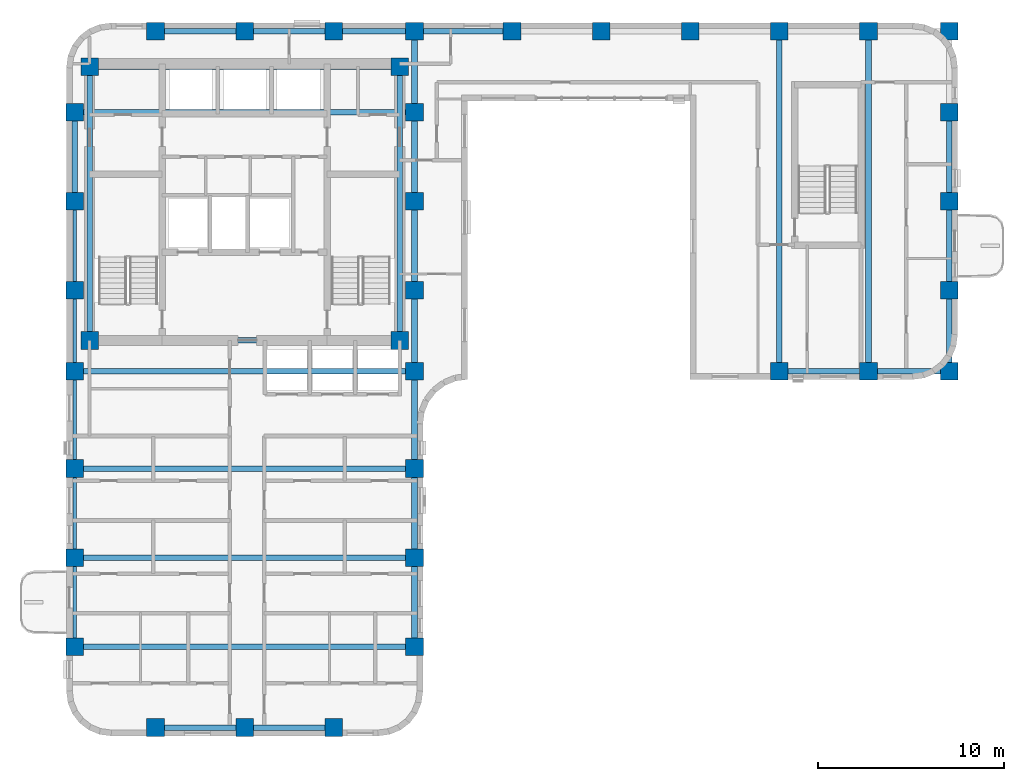
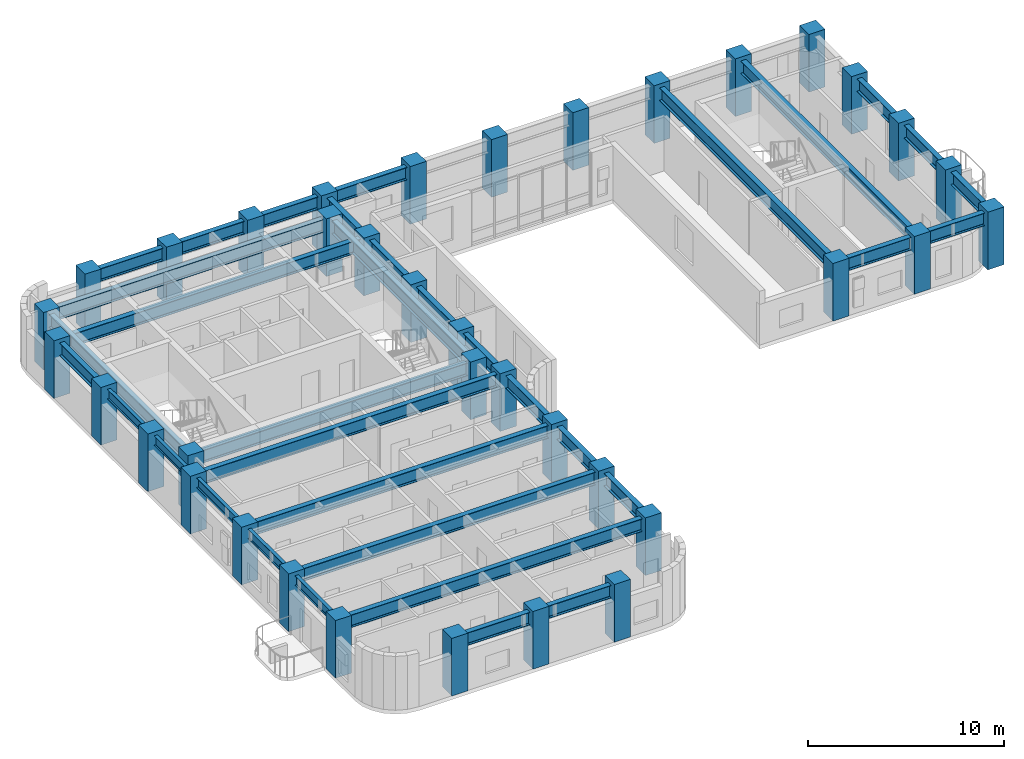
# One storey, part 1 of 11: 37 columns, 35 beams.
"""IFC4 building model written with IfcOpenShell, lengths in metres."""

from ifc_helpers import new_model, si_unit, direction, frame, origin, origin_2d, place, context, subcontext, project, spatial, rectangle, i_section, extrude, material, material_profile, profile_set, type_object, element, save


model = new_model("IFC4")

# Units and contexts
model_context = context("Model", 3, precision=1e-05, world=origin(), true_north=direction((0.0, 1.0)))
body_context = subcontext(model_context, "Body", "Model", "MODEL_VIEW")
ifc_project = project(units=[si_unit("LENGTHUNIT", "METRE"), si_unit("AREAUNIT", "SQUARE_METRE"), si_unit("VOLUMEUNIT", "CUBIC_METRE"), si_unit("PLANEANGLEUNIT", "RADIAN"), si_unit("MASSUNIT", "GRAM", prefix="KILO")], contexts=[model_context])

# Site, building, storey
site_placement = place(None, origin())
site = spatial("IfcSite", under=ifc_project, at=site_placement, CompositionType="ELEMENT")
building_placement = place(site_placement, origin())
building = spatial("IfcBuilding", under=site, at=building_placement, Name="Orvandelia Arch Residences", CompositionType="ELEMENT")
storey_placement = place(building_placement, frame((0.0, 0.0, 172.0)))
storey = spatial("IfcBuildingStorey", under=building, at=storey_placement, Name="L45", CompositionType="ELEMENT", Elevation=172.0)

# Columns
ifc_material_1 = material(Name="Concrete C60/75", Category="concrete")
ifc_material_profile_1 = material_profile(ifc_material_1, rectangle(XDim=0.949951171875, YDim=0.949951171875, at=origin_2d()), Name="Concrete C60/75", Category="concrete")
ifc_profile_set_1 = profile_set([ifc_material_profile_1], Name="Concrete C60/75")
column_type = type_object("IfcColumnType", Name="COL-TWR-950", PredefinedType="COLUMN", material=ifc_profile_set_1)
for number, where, z_axis, x_axis, name in (
    (1, (5.25, 14.39990234375, 0.0), (0.0, 0.0, 1.0), (1.0, 0.0, 0.0), "Structural Column L45-W-W-144"),
    (2, (5.25, 19.199951171875, 0.0), (0.0, 0.0, 1.0), (1.0, 0.0, 0.0), "Structural Column L45-W-W-192"),
    (3, (5.25, 24.0, 0.0), (0.0, 0.0, 1.0), (1.0, 0.0, 0.0), "Structural Column L45-W-W-240"),
    (4, (5.25, 29.25, 0.0), (0.0, 0.0, 1.0), (1.0, 0.0, 0.0), "Structural Column L45-W-W-292"),
    (5, (5.25, 33.60009765625, 0.0), (0.0, 0.0, 1.0), (1.0, 0.0, 0.0), "Structural Column L45-W-W-336"),
    (6, (5.25, 38.39990234375, 0.0), (0.0, 0.0, 1.0), (1.0, 0.0, 0.0), "Structural Column L45-W-W-384"),
    (7, (5.25, 43.199951171875, 0.0), (0.0, 0.0, 1.0), (1.0, 0.0, 0.0), "Structural Column L45-W-W-432"),
    (8, (6.050048828125, 30.89990234375, 0.0), (0.0, 0.0, 1.0), (1.0, 0.0, 0.0), "Structural Column L45-CR-SW"),
    (9, (6.050048828125, 45.64990234375, 0.0), (0.0, 0.0, 1.0), (1.0, 0.0, 0.0), "Structural Column L45-CR-NW"),
    (10, (9.60009765625, 10.050048828125, 0.0), (0.0, 0.0, 1.0), (1.0, 0.0, 0.0), "Structural Column L45-W-S-96"),
    (11, (9.60009765625, 47.550048828125, 0.0), (0.0, 0.0, 1.0), (1.0, 0.0, 0.0), "Structural Column L45-W-N-96"),
    (12, (14.39990234375, 10.050048828125, 0.0), (0.0, 0.0, 1.0), (1.0, 0.0, 0.0), "Structural Column L45-W-S-144"),
    (13, (14.39990234375, 47.550048828125, 0.0), (0.0, 0.0, 1.0), (1.0, 0.0, 0.0), "Structural Column L45-W-N-144"),
    (14, (19.199951171875, 10.050048828125, 0.0), (0.0, 0.0, 1.0), (1.0, 0.0, 0.0), "Structural Column L45-W-S-192"),
    (15, (19.199951171875, 47.550048828125, 0.0), (0.0, 0.0, 1.0), (1.0, 0.0, 0.0), "Structural Column L45-W-N-192"),
    (16, (22.75, 30.89990234375, 0.0), (0.0, 0.0, 1.0), (1.0, 0.0, 0.0), "Structural Column L45-CR-SE"),
    (17, (22.75, 45.64990234375, 0.0), (0.0, 0.0, 1.0), (1.0, 0.0, 0.0), "Structural Column L45-CR-NE"),
    (18, (23.550048828125, 14.39990234375, 0.0), (0.0, 0.0, 1.0), (1.0, 0.0, 0.0), "Structural Column L45-W-E-144"),
    (19, (23.550048828125, 19.199951171875, 0.0), (0.0, 0.0, 1.0), (1.0, 0.0, 0.0), "Structural Column L45-W-E-192"),
    (20, (23.550048828125, 24.0, 0.0), (0.0, 0.0, 1.0), (1.0, 0.0, 0.0), "Structural Column L45-W-E-240"),
    (21, (23.550048828125, 29.25, 0.0), (0.0, 0.0, 1.0), (1.0, 0.0, 0.0), "Structural Column L45-W-E-292"),
    (22, (23.550048828125, 33.60009765625, 0.0), (0.0, 0.0, 1.0), (1.0, 0.0, 0.0), "Structural Column L45-W-E-336"),
    (23, (23.550048828125, 38.39990234375, 0.0), (0.0, 0.0, 1.0), (1.0, 0.0, 0.0), "Structural Column L45-W-E-384"),
    (24, (23.550048828125, 43.199951171875, 0.0), (0.0, 0.0, 1.0), (1.0, 0.0, 0.0), "Structural Column L45-W-E-432"),
    (25, (23.550048828125, 47.550048828125, 0.0), (0.0, 0.0, 1.0), (1.0, 0.0, 0.0), "Structural Column L45-W-N-235"),
    (26, (28.800048828125, 47.550048828125, 0.0), (0.0, 0.0, 1.0), (1.0, 0.0, 0.0), "Structural Column L45-E-N-288"),
    (27, (33.60009765625, 47.550048828125, 0.0), (0.0, 0.0, 1.0), (1.0, 0.0, 0.0), "Structural Column L45-E-N-336"),
    (28, (38.39990234375, 47.550048828125, 0.0), (0.0, 0.0, 1.0), (1.0, 0.0, 0.0), "Structural Column L45-E-N-384"),
    (29, (43.199951171875, 29.25, 0.0), (0.0, 0.0, 1.0), (1.0, 0.0, 0.0), "Structural Column L45-E-S-432"),
    (30, (43.199951171875, 47.550048828125, 0.0), (0.0, 0.0, 1.0), (1.0, 0.0, 0.0), "Structural Column L45-E-N-432"),
    (31, (48.0, 29.25, 0.0), (0.0, 0.0, 1.0), (1.0, 0.0, 0.0), "Structural Column L45-E-S-480"),
    (32, (48.0, 47.550048828125, 0.0), (0.0, 0.0, 1.0), (1.0, 0.0, 0.0), "Structural Column L45-E-N-480"),
    (33, (52.35009765625, 29.25, 0.0), (0.0, 0.0, 1.0), (1.0, 0.0, 0.0), "Structural Column L45-E-S-523"),
    (34, (52.35009765625, 33.60009765625, 0.0), (0.0, 0.0, 1.0), (1.0, 0.0, 0.0), "Structural Column L45-E-523-336"),
    (35, (52.35009765625, 38.39990234375, 0.0), (0.0, 0.0, 1.0), (1.0, 0.0, 0.0), "Structural Column L45-E-523-384"),
    (36, (52.35009765625, 43.199951171875, 0.0), (0.0, 0.0, 1.0), (1.0, 0.0, 0.0), "Structural Column L45-E-523-432"),
    (37, (52.35009765625, 47.550048828125, 0.0), (0.0, 0.0, 1.0), (1.0, 0.0, 0.0), "Structural Column L45-E-N-523"),
):
    element("IfcColumn", number, at=place(storey_placement, frame(where, z_axis=z_axis, x_axis=x_axis)), inside=storey, type_object=column_type, Name=name, PredefinedType="COLUMN", context=body_context, shape_type="SweptSolid", body=[
        extrude(rectangle(XDim=0.949951171875, YDim=0.949951171875, at=origin_2d()), origin(), (0.0, 0.0, 1.0), 3.60009765625),
    ])

# Beams
ifc_material_2 = material(Name="Structural Steel SM355 (355 MPa)", Category="steel")
ifc_material_profile_2 = material_profile(ifc_material_2, i_section(OverallWidth=0.300048828125, OverallDepth=0.800048828125, WebThickness=0.013916015625, FlangeThickness=0.02587890625, FilletRadius=0.02587890625, at=origin_2d()), Name="Structural Steel SM355 (355 MPa)", Category="steel")
ifc_profile_set_2 = profile_set([ifc_material_profile_2], Name="Structural Steel SM355 (355 MPa)")
beam_type_1 = type_object("IfcBeamType", Name="BM-GRD-H800", PredefinedType="BEAM", material=ifc_profile_set_2)
beam_1_placement = place(storey_placement, frame((5.25, 38.39990234375, 2.9599609375), z_axis=(0.0, 1.0, 0.0), x_axis=(-1.0, 0.0, 0.0)))
element("IfcBeam", 38, at=beam_1_placement, inside=storey, type_object=beam_type_1, Name="Structural Frame Beam L45-NS-006", PredefinedType="BEAM", context=body_context, shape_type="SweptSolid", body=[
    extrude(i_section(OverallWidth=0.300048828125, OverallDepth=0.800048828125, WebThickness=0.013916015625, FlangeThickness=0.02587890625, FilletRadius=0.02587890625, at=origin_2d()), origin(), (0.0, 0.0, 1.0), 4.800048828125),
])
for number, where, z_axis, x_axis, name in (
    (39, (6.050048828125, 30.89990234375, 2.9599609375), (0.0, 1.0, 0.0), (-1.0, 0.0, 0.0), "Structural Frame Beam L45-NS-007"),
    (40, (22.75, 30.89990234375, 2.9599609375), (0.0, 1.0, 0.0), (-1.0, 0.0, 0.0), "Structural Frame Beam L45-NS-008"),
):
    element("IfcBeam", number, at=place(storey_placement, frame(where, z_axis=z_axis, x_axis=x_axis)), inside=storey, type_object=beam_type_1, Name=name, PredefinedType="BEAM", context=body_context, shape_type="SweptSolid", body=[
        extrude(i_section(OverallWidth=0.300048828125, OverallDepth=0.800048828125, WebThickness=0.013916015625, FlangeThickness=0.02587890625, FilletRadius=0.02587890625, at=origin_2d()), origin(), (0.0, 0.0, 1.0), 14.75),
    ])
for number, where, z_axis, x_axis, name in (
    (41, (23.550048828125, 14.39990234375, 2.9599609375), (0.0, 1.0, 0.0), (-1.0, 0.0, 0.0), "Structural Frame Beam L45-NS-009"),
    (42, (23.550048828125, 19.199951171875, 2.9599609375), (0.0, 1.0, 0.0), (-1.0, 0.0, 0.0), "Structural Frame Beam L45-NS-010"),
):
    element("IfcBeam", number, at=place(storey_placement, frame(where, z_axis=z_axis, x_axis=x_axis)), inside=storey, type_object=beam_type_1, Name=name, PredefinedType="BEAM", context=body_context, shape_type="SweptSolid", body=[
        extrude(i_section(OverallWidth=0.300048828125, OverallDepth=0.800048828125, WebThickness=0.013916015625, FlangeThickness=0.02587890625, FilletRadius=0.02587890625, at=origin_2d()), origin(), (0.0, 0.0, 1.0), 4.800048828125),
    ])
beam_2_placement = place(storey_placement, frame((23.550048828125, 24.0, 2.9599609375), z_axis=(0.0, 1.0, 0.0), x_axis=(-1.0, 0.0, 0.0)))
element("IfcBeam", 43, at=beam_2_placement, inside=storey, type_object=beam_type_1, Name="Structural Frame Beam L45-NS-011", PredefinedType="BEAM", context=body_context, shape_type="SweptSolid", body=[
    extrude(i_section(OverallWidth=0.300048828125, OverallDepth=0.800048828125, WebThickness=0.013916015625, FlangeThickness=0.02587890625, FilletRadius=0.02587890625, at=origin_2d()), origin(), (0.0, 0.0, 1.0), 5.25),
])
beam_3_placement = place(storey_placement, frame((23.550048828125, 29.25, 2.9599609375), z_axis=(0.0, 1.0, 0.0), x_axis=(-1.0, 0.0, 0.0)))
element("IfcBeam", 44, at=beam_3_placement, inside=storey, type_object=beam_type_1, Name="Structural Frame Beam L45-NS-012", PredefinedType="BEAM", context=body_context, shape_type="SweptSolid", body=[
    extrude(i_section(OverallWidth=0.300048828125, OverallDepth=0.800048828125, WebThickness=0.013916015625, FlangeThickness=0.02587890625, FilletRadius=0.02587890625, at=origin_2d()), origin(), (0.0, 0.0, 1.0), 4.35009765625),
])
beam_4_placement = place(storey_placement, frame((23.550048828125, 33.60009765625, 2.9599609375), z_axis=(0.0, 1.0, 0.0), x_axis=(-1.0, 0.0, 0.0)))
element("IfcBeam", 45, at=beam_4_placement, inside=storey, type_object=beam_type_1, Name="Structural Frame Beam L45-NS-013", PredefinedType="BEAM", context=body_context, shape_type="SweptSolid", body=[
    extrude(i_section(OverallWidth=0.300048828125, OverallDepth=0.800048828125, WebThickness=0.013916015625, FlangeThickness=0.02587890625, FilletRadius=0.02587890625, at=origin_2d()), origin(), (0.0, 0.0, 1.0), 4.7998046875),
])
beam_5_placement = place(storey_placement, frame((23.550048828125, 38.39990234375, 2.9599609375), z_axis=(0.0, 1.0, 0.0), x_axis=(-1.0, 0.0, 0.0)))
element("IfcBeam", 46, at=beam_5_placement, inside=storey, type_object=beam_type_1, Name="Structural Frame Beam L45-NS-014", PredefinedType="BEAM", context=body_context, shape_type="SweptSolid", body=[
    extrude(i_section(OverallWidth=0.300048828125, OverallDepth=0.800048828125, WebThickness=0.013916015625, FlangeThickness=0.02587890625, FilletRadius=0.02587890625, at=origin_2d()), origin(), (0.0, 0.0, 1.0), 4.800048828125),
])
beam_6_placement = place(storey_placement, frame((23.550048828125, 43.199951171875, 2.9599609375), z_axis=(0.0, 1.0, 0.0), x_axis=(-1.0, 0.0, 0.0)))
element("IfcBeam", 47, at=beam_6_placement, inside=storey, type_object=beam_type_1, Name="Structural Frame Beam L45-NS-015", PredefinedType="BEAM", context=body_context, shape_type="SweptSolid", body=[
    extrude(i_section(OverallWidth=0.300048828125, OverallDepth=0.800048828125, WebThickness=0.013916015625, FlangeThickness=0.02587890625, FilletRadius=0.02587890625, at=origin_2d()), origin(), (0.0, 0.0, 1.0), 4.35009765625),
])
for number, where, z_axis, x_axis, name in (
    (48, (43.199951171875, 29.25, 2.9599609375), (0.0, 1.0, 0.0), (-1.0, 0.0, 0.0), "Structural Frame Beam L45-NS-016"),
    (49, (48.0, 29.25, 2.9599609375), (0.0, 1.0, 0.0), (-1.0, 0.0, 0.0), "Structural Frame Beam L45-NS-017"),
):
    element("IfcBeam", number, at=place(storey_placement, frame(where, z_axis=z_axis, x_axis=x_axis)), inside=storey, type_object=beam_type_1, Name=name, PredefinedType="BEAM", context=body_context, shape_type="SweptSolid", body=[
        extrude(i_section(OverallWidth=0.300048828125, OverallDepth=0.800048828125, WebThickness=0.013916015625, FlangeThickness=0.02587890625, FilletRadius=0.02587890625, at=origin_2d()), origin(), (0.0, 0.0, 1.0), 18.300048828125),
    ])
beam_7_placement = place(storey_placement, frame((52.35009765625, 29.25, 2.9599609375), z_axis=(0.0, 1.0, 0.0), x_axis=(-1.0, 0.0, 0.0)))
element("IfcBeam", 50, at=beam_7_placement, inside=storey, type_object=beam_type_1, Name="Structural Frame Beam L45-NS-018", PredefinedType="BEAM", context=body_context, shape_type="SweptSolid", body=[
    extrude(i_section(OverallWidth=0.300048828125, OverallDepth=0.800048828125, WebThickness=0.013916015625, FlangeThickness=0.02587890625, FilletRadius=0.02587890625, at=origin_2d()), origin(), (0.0, 0.0, 1.0), 4.35009765625),
])
beam_8_placement = place(storey_placement, frame((52.35009765625, 33.60009765625, 2.9599609375), z_axis=(0.0, 1.0, 0.0), x_axis=(-1.0, 0.0, 0.0)))
element("IfcBeam", 51, at=beam_8_placement, inside=storey, type_object=beam_type_1, Name="Structural Frame Beam L45-NS-019", PredefinedType="BEAM", context=body_context, shape_type="SweptSolid", body=[
    extrude(i_section(OverallWidth=0.300048828125, OverallDepth=0.800048828125, WebThickness=0.013916015625, FlangeThickness=0.02587890625, FilletRadius=0.02587890625, at=origin_2d()), origin(), (0.0, 0.0, 1.0), 4.7998046875),
])
beam_9_placement = place(storey_placement, frame((52.35009765625, 38.39990234375, 2.9599609375), z_axis=(0.0, 1.0, 0.0), x_axis=(-1.0, 0.0, 0.0)))
element("IfcBeam", 52, at=beam_9_placement, inside=storey, type_object=beam_type_1, Name="Structural Frame Beam L45-NS-020", PredefinedType="BEAM", context=body_context, shape_type="SweptSolid", body=[
    extrude(i_section(OverallWidth=0.300048828125, OverallDepth=0.800048828125, WebThickness=0.013916015625, FlangeThickness=0.02587890625, FilletRadius=0.02587890625, at=origin_2d()), origin(), (0.0, 0.0, 1.0), 4.800048828125),
])
beam_10_placement = place(storey_placement, frame((9.60009765625, 10.050048828125, 2.9599609375), z_axis=(1.0, 0.0, 0.0), x_axis=(0.0, 1.0, 0.0)))
element("IfcBeam", 53, at=beam_10_placement, inside=storey, type_object=beam_type_1, Name="Structural Frame Girder L45-EW-022", PredefinedType="BEAM", context=body_context, shape_type="SweptSolid", body=[
    extrude(i_section(OverallWidth=0.300048828125, OverallDepth=0.800048828125, WebThickness=0.013916015625, FlangeThickness=0.02587890625, FilletRadius=0.02587890625, at=origin_2d()), origin(), (0.0, 0.0, 1.0), 4.7998046875),
])
beam_11_placement = place(storey_placement, frame((14.39990234375, 10.050048828125, 2.9599609375), z_axis=(1.0, 0.0, 0.0), x_axis=(0.0, 1.0, 0.0)))
element("IfcBeam", 54, at=beam_11_placement, inside=storey, type_object=beam_type_1, Name="Structural Frame Girder L45-EW-023", PredefinedType="BEAM", context=body_context, shape_type="SweptSolid", body=[
    extrude(i_section(OverallWidth=0.300048828125, OverallDepth=0.800048828125, WebThickness=0.013916015625, FlangeThickness=0.02587890625, FilletRadius=0.02587890625, at=origin_2d()), origin(), (0.0, 0.0, 1.0), 4.800048828125),
])
for number, where, z_axis, x_axis, name in (
    (55, (5.25, 14.39990234375, 2.9599609375), (1.0, 0.0, 0.0), (0.0, 1.0, 0.0), "Structural Frame Girder L45-EW-024"),
    (56, (5.25, 19.199951171875, 2.9599609375), (1.0, 0.0, 0.0), (0.0, 1.0, 0.0), "Structural Frame Girder L45-EW-025"),
    (57, (5.25, 24.0, 2.9599609375), (1.0, 0.0, 0.0), (0.0, 1.0, 0.0), "Structural Frame Girder L45-EW-026"),
    (58, (5.25, 29.25, 2.9599609375), (1.0, 0.0, 0.0), (0.0, 1.0, 0.0), "Structural Frame Girder L45-EW-027"),
):
    element("IfcBeam", number, at=place(storey_placement, frame(where, z_axis=z_axis, x_axis=x_axis)), inside=storey, type_object=beam_type_1, Name=name, PredefinedType="BEAM", context=body_context, shape_type="SweptSolid", body=[
        extrude(i_section(OverallWidth=0.300048828125, OverallDepth=0.800048828125, WebThickness=0.013916015625, FlangeThickness=0.02587890625, FilletRadius=0.02587890625, at=origin_2d()), origin(), (0.0, 0.0, 1.0), 18.300048828125),
    ])
beam_12_placement = place(storey_placement, frame((43.199951171875, 29.25, 2.9599609375), z_axis=(1.0, 0.0, 0.0), x_axis=(0.0, 1.0, 0.0)))
element("IfcBeam", 59, at=beam_12_placement, inside=storey, type_object=beam_type_1, Name="Structural Frame Girder L45-EW-028", PredefinedType="BEAM", context=body_context, shape_type="SweptSolid", body=[
    extrude(i_section(OverallWidth=0.300048828125, OverallDepth=0.800048828125, WebThickness=0.013916015625, FlangeThickness=0.02587890625, FilletRadius=0.02587890625, at=origin_2d()), origin(), (0.0, 0.0, 1.0), 4.800048828125),
])
beam_13_placement = place(storey_placement, frame((48.0, 29.25, 2.9599609375), z_axis=(1.0, 0.0, 0.0), x_axis=(0.0, 1.0, 0.0)))
element("IfcBeam", 60, at=beam_13_placement, inside=storey, type_object=beam_type_1, Name="Structural Frame Girder L45-EW-029", PredefinedType="BEAM", context=body_context, shape_type="SweptSolid", body=[
    extrude(i_section(OverallWidth=0.300048828125, OverallDepth=0.800048828125, WebThickness=0.013916015625, FlangeThickness=0.02587890625, FilletRadius=0.02587890625, at=origin_2d()), origin(), (0.0, 0.0, 1.0), 4.35009765625),
])
beam_14_placement = place(storey_placement, frame((6.050048828125, 30.89990234375, 2.9599609375), z_axis=(1.0, 0.0, 0.0), x_axis=(0.0, 1.0, 0.0)))
element("IfcBeam", 61, at=beam_14_placement, inside=storey, type_object=beam_type_1, Name="Structural Frame Girder L45-EW-030", PredefinedType="BEAM", context=body_context, shape_type="SweptSolid", body=[
    extrude(i_section(OverallWidth=0.300048828125, OverallDepth=0.800048828125, WebThickness=0.013916015625, FlangeThickness=0.02587890625, FilletRadius=0.02587890625, at=origin_2d()), origin(), (0.0, 0.0, 1.0), 16.699951171875),
])
beam_15_placement = place(storey_placement, frame((5.25, 43.199951171875, 2.9599609375), z_axis=(1.0, 0.0, 0.0), x_axis=(0.0, 1.0, 0.0)))
element("IfcBeam", 62, at=beam_15_placement, inside=storey, type_object=beam_type_1, Name="Structural Frame Girder L45-EW-033", PredefinedType="BEAM", context=body_context, shape_type="SweptSolid", body=[
    extrude(i_section(OverallWidth=0.300048828125, OverallDepth=0.800048828125, WebThickness=0.013916015625, FlangeThickness=0.02587890625, FilletRadius=0.02587890625, at=origin_2d()), origin(), (0.0, 0.0, 1.0), 18.300048828125),
])
beam_16_placement = place(storey_placement, frame((6.050048828125, 45.64990234375, 2.9599609375), z_axis=(1.0, 0.0, 0.0), x_axis=(0.0, 1.0, 0.0)))
element("IfcBeam", 63, at=beam_16_placement, inside=storey, type_object=beam_type_1, Name="Structural Frame Girder L45-EW-034", PredefinedType="BEAM", context=body_context, shape_type="SweptSolid", body=[
    extrude(i_section(OverallWidth=0.300048828125, OverallDepth=0.800048828125, WebThickness=0.013916015625, FlangeThickness=0.02587890625, FilletRadius=0.02587890625, at=origin_2d()), origin(), (0.0, 0.0, 1.0), 16.699951171875),
])
beam_17_placement = place(storey_placement, frame((9.60009765625, 47.550048828125, 2.9599609375), z_axis=(1.0, 0.0, 0.0), x_axis=(0.0, 1.0, 0.0)))
element("IfcBeam", 64, at=beam_17_placement, inside=storey, type_object=beam_type_1, Name="Structural Frame Girder L45-EW-035", PredefinedType="BEAM", context=body_context, shape_type="SweptSolid", body=[
    extrude(i_section(OverallWidth=0.300048828125, OverallDepth=0.800048828125, WebThickness=0.013916015625, FlangeThickness=0.02587890625, FilletRadius=0.02587890625, at=origin_2d()), origin(), (0.0, 0.0, 1.0), 4.7998046875),
])
beam_18_placement = place(storey_placement, frame((14.39990234375, 47.550048828125, 2.9599609375), z_axis=(1.0, 0.0, 0.0), x_axis=(0.0, 1.0, 0.0)))
element("IfcBeam", 65, at=beam_18_placement, inside=storey, type_object=beam_type_1, Name="Structural Frame Girder L45-EW-036", PredefinedType="BEAM", context=body_context, shape_type="SweptSolid", body=[
    extrude(i_section(OverallWidth=0.300048828125, OverallDepth=0.800048828125, WebThickness=0.013916015625, FlangeThickness=0.02587890625, FilletRadius=0.02587890625, at=origin_2d()), origin(), (0.0, 0.0, 1.0), 4.800048828125),
])
beam_19_placement = place(storey_placement, frame((19.199951171875, 47.550048828125, 2.9599609375), z_axis=(1.0, 0.0, 0.0), x_axis=(0.0, 1.0, 0.0)))
element("IfcBeam", 66, at=beam_19_placement, inside=storey, type_object=beam_type_1, Name="Structural Frame Girder L45-EW-037", PredefinedType="BEAM", context=body_context, shape_type="SweptSolid", body=[
    extrude(i_section(OverallWidth=0.300048828125, OverallDepth=0.800048828125, WebThickness=0.013916015625, FlangeThickness=0.02587890625, FilletRadius=0.02587890625, at=origin_2d()), origin(), (0.0, 0.0, 1.0), 4.35009765625),
])
beam_20_placement = place(storey_placement, frame((23.550048828125, 47.550048828125, 2.9599609375), z_axis=(1.0, 0.0, 0.0), x_axis=(0.0, 1.0, 0.0)))
element("IfcBeam", 67, at=beam_20_placement, inside=storey, type_object=beam_type_1, Name="Structural Frame Girder L45-EW-038", PredefinedType="BEAM", context=body_context, shape_type="SweptSolid", body=[
    extrude(i_section(OverallWidth=0.300048828125, OverallDepth=0.800048828125, WebThickness=0.013916015625, FlangeThickness=0.02587890625, FilletRadius=0.02587890625, at=origin_2d()), origin(), (0.0, 0.0, 1.0), 5.25),
])
ifc_material_profile_3 = material_profile(ifc_material_2, i_section(OverallWidth=0.199951171875, OverallDepth=0.60009765625, WebThickness=0.010986328125, FlangeThickness=0.01708984375, FilletRadius=0.02197265625, at=origin_2d()), Name="Structural Steel SM355 (355 MPa)", Category="steel")
ifc_profile_set_3 = profile_set([ifc_material_profile_3], Name="Structural Steel SM355 (355 MPa)")
beam_type_2 = type_object("IfcBeamType", Name="BM-SPN-H600", PredefinedType="SPANDREL", material=ifc_profile_set_3)
for number, where, z_axis, x_axis, name in (
    (68, (5.25, 14.39990234375, 3.06005859375), (0.0, 1.0, 0.0), (-1.0, 0.0, 0.0), "Structural Frame Beam L45-NS-001"),
    (69, (5.25, 19.199951171875, 3.06005859375), (0.0, 1.0, 0.0), (-1.0, 0.0, 0.0), "Structural Frame Beam L45-NS-002"),
):
    element("IfcBeam", number, at=place(storey_placement, frame(where, z_axis=z_axis, x_axis=x_axis)), inside=storey, type_object=beam_type_2, Name=name, PredefinedType="SPANDREL", context=body_context, shape_type="SweptSolid", body=[
        extrude(i_section(OverallWidth=0.199951171875, OverallDepth=0.60009765625, WebThickness=0.010986328125, FlangeThickness=0.01708984375, FilletRadius=0.02197265625, at=origin_2d()), origin(), (0.0, 0.0, 1.0), 4.800048828125),
    ])
beam_21_placement = place(storey_placement, frame((5.25, 24.0, 3.06005859375), z_axis=(0.0, 1.0, 0.0), x_axis=(-1.0, 0.0, 0.0)))
element("IfcBeam", 70, at=beam_21_placement, inside=storey, type_object=beam_type_2, Name="Structural Frame Beam L45-NS-003", PredefinedType="SPANDREL", context=body_context, shape_type="SweptSolid", body=[
    extrude(i_section(OverallWidth=0.199951171875, OverallDepth=0.60009765625, WebThickness=0.010986328125, FlangeThickness=0.01708984375, FilletRadius=0.02197265625, at=origin_2d()), origin(), (0.0, 0.0, 1.0), 5.25),
])
beam_22_placement = place(storey_placement, frame((5.25, 29.25, 3.06005859375), z_axis=(0.0, 1.0, 0.0), x_axis=(-1.0, 0.0, 0.0)))
element("IfcBeam", 71, at=beam_22_placement, inside=storey, type_object=beam_type_2, Name="Structural Frame Beam L45-NS-004", PredefinedType="SPANDREL", context=body_context, shape_type="SweptSolid", body=[
    extrude(i_section(OverallWidth=0.199951171875, OverallDepth=0.60009765625, WebThickness=0.010986328125, FlangeThickness=0.01708984375, FilletRadius=0.02197265625, at=origin_2d()), origin(), (0.0, 0.0, 1.0), 4.35009765625),
])
beam_23_placement = place(storey_placement, frame((5.25, 33.60009765625, 3.06005859375), z_axis=(0.0, 1.0, 0.0), x_axis=(-1.0, 0.0, 0.0)))
element("IfcBeam", 72, at=beam_23_placement, inside=storey, type_object=beam_type_2, Name="Structural Frame Beam L45-NS-005", PredefinedType="SPANDREL", context=body_context, shape_type="SweptSolid", body=[
    extrude(i_section(OverallWidth=0.199951171875, OverallDepth=0.60009765625, WebThickness=0.010986328125, FlangeThickness=0.01708984375, FilletRadius=0.02197265625, at=origin_2d()), origin(), (0.0, 0.0, 1.0), 4.7998046875),
])

save(model, "model.ifc")
